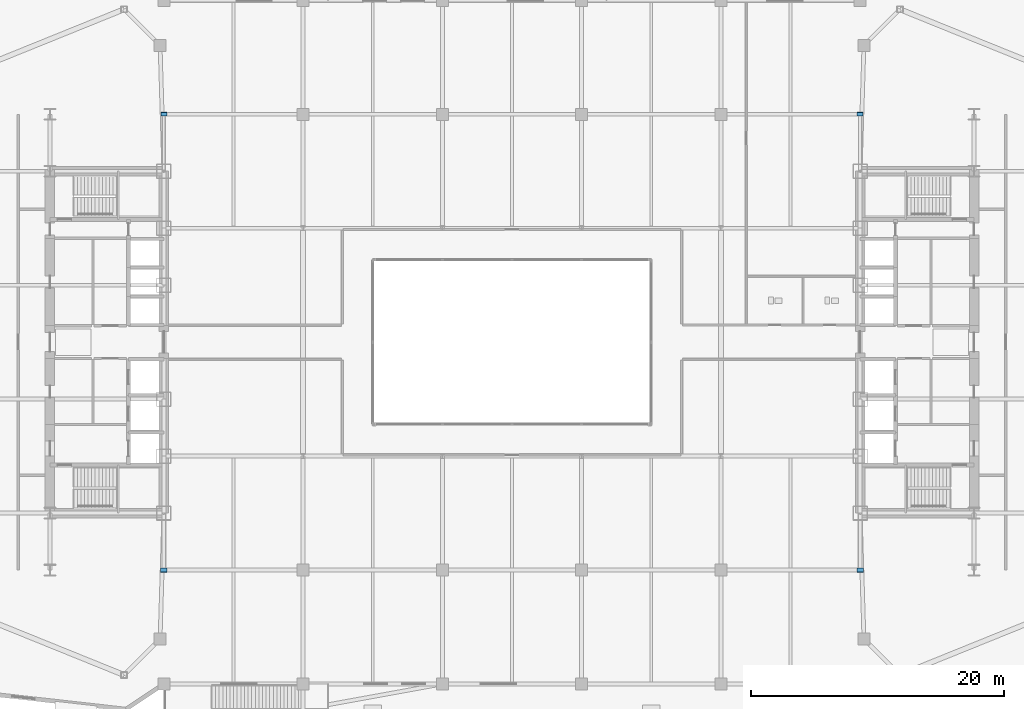
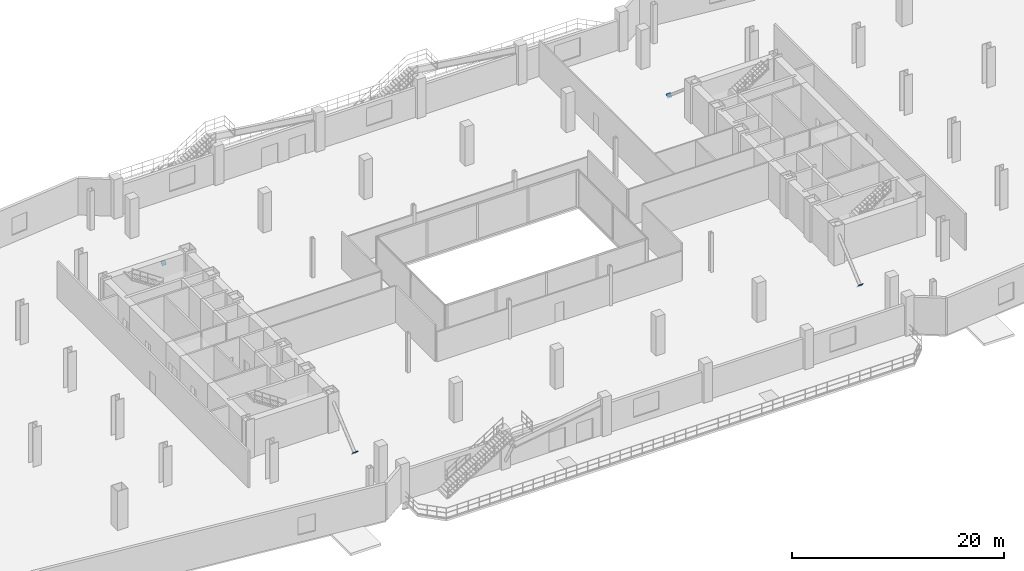
# One storey, part 21 of 25: 4 discrete accessories.
"""IFC4 building model written with IfcOpenShell, lengths in metres."""

from ifc_helpers import new_model, si_unit, direction, frame, origin, origin_2d, place, context, subcontext, project, spatial, rectangle, extrude, material, type_object, element, save


model = new_model("IFC4")

# Units and contexts
model_context = context("Model", 3, precision=1e-05, world=origin(), true_north=direction((0.0, 1.0)))
body_context = subcontext(model_context, "Body", "Model", "MODEL_VIEW")
ifc_project = project(units=[si_unit("LENGTHUNIT", "METRE"), si_unit("AREAUNIT", "SQUARE_METRE"), si_unit("VOLUMEUNIT", "CUBIC_METRE"), si_unit("PLANEANGLEUNIT", "RADIAN"), si_unit("MASSUNIT", "GRAM", prefix="KILO")], contexts=[model_context])

# Site, building, storey
site_placement = place(None, origin())
site = spatial("IfcSite", under=ifc_project, at=site_placement, CompositionType="ELEMENT")
building_placement = place(site_placement, origin())
building = spatial("IfcBuilding", under=site, at=building_placement, Name="Seokmaru Belvedere", CompositionType="ELEMENT")
storey_placement = place(building_placement, frame((0.0, 0.0, 5.39990234375)))
storey = spatial("IfcBuildingStorey", under=building, at=storey_placement, Name="L01", CompositionType="ELEMENT", Elevation=5.39990234375)

# Discrete accessories
ifc_material = material(Name="Steel SM355 (355 MPa)", Category="steel")
discrete_accessory_type_1 = type_object("IfcDiscreteAccessoryType", Name="Brace Base Plate 470x470x30", PredefinedType="USERDEFINED", material=ifc_material)
for number, where, z_axis, x_axis, name in (
    (1, (-27.5, 18.0, 0.0), (0.0, 0.765544403935, -0.643383062882), (-1.0, 0.0, 0.0), "L01 Podium Portal Tie Strut WN Base Plate"),
    (2, (27.5, 18.0, 0.0), (0.0, 0.765544403935, -0.643383062882), (-1.0, 0.0, 0.0), "L01 Podium Portal Tie Strut EN Base Plate"),
):
    element("IfcDiscreteAccessory", number, at=place(storey_placement, frame(where, z_axis=z_axis, x_axis=x_axis)), inside=storey, type_object=discrete_accessory_type_1, Name=name, ObjectType="BRACE_BASE_PLATE", PredefinedType="USERDEFINED", context=body_context, shape_type="SweptSolid", body=[
        extrude(rectangle(XDim=0.469970703125, YDim=0.469970703125, at=origin_2d()), origin(), (0.0, 0.0, 1.0), 0.030029296875),
    ])
discrete_accessory_type_2 = type_object("IfcDiscreteAccessoryType", Name="Brace Base Plate 520x520x30", PredefinedType="USERDEFINED", material=ifc_material)
for number, where, z_axis, x_axis, name in (
    (3, (-27.5, -18.0, 0.0), (0.0, -0.765544403935, -0.643383062882), (1.0, 0.0, 0.0), "L01 Podium Portal Wind Brace WS Base Plate"),
    (4, (27.5, -18.0, 0.0), (0.0, -0.765544403935, -0.643383062882), (1.0, 0.0, 0.0), "L01 Podium Portal Wind Brace ES Base Plate"),
):
    element("IfcDiscreteAccessory", number, at=place(storey_placement, frame(where, z_axis=z_axis, x_axis=x_axis)), inside=storey, type_object=discrete_accessory_type_2, Name=name, ObjectType="BRACE_BASE_PLATE", PredefinedType="USERDEFINED", context=body_context, shape_type="SweptSolid", body=[
        extrude(rectangle(XDim=0.52001953125, YDim=0.52001953125, at=origin_2d()), origin(), (0.0, 0.0, 1.0), 0.030029296875),
    ])

save(model, "model.ifc")
